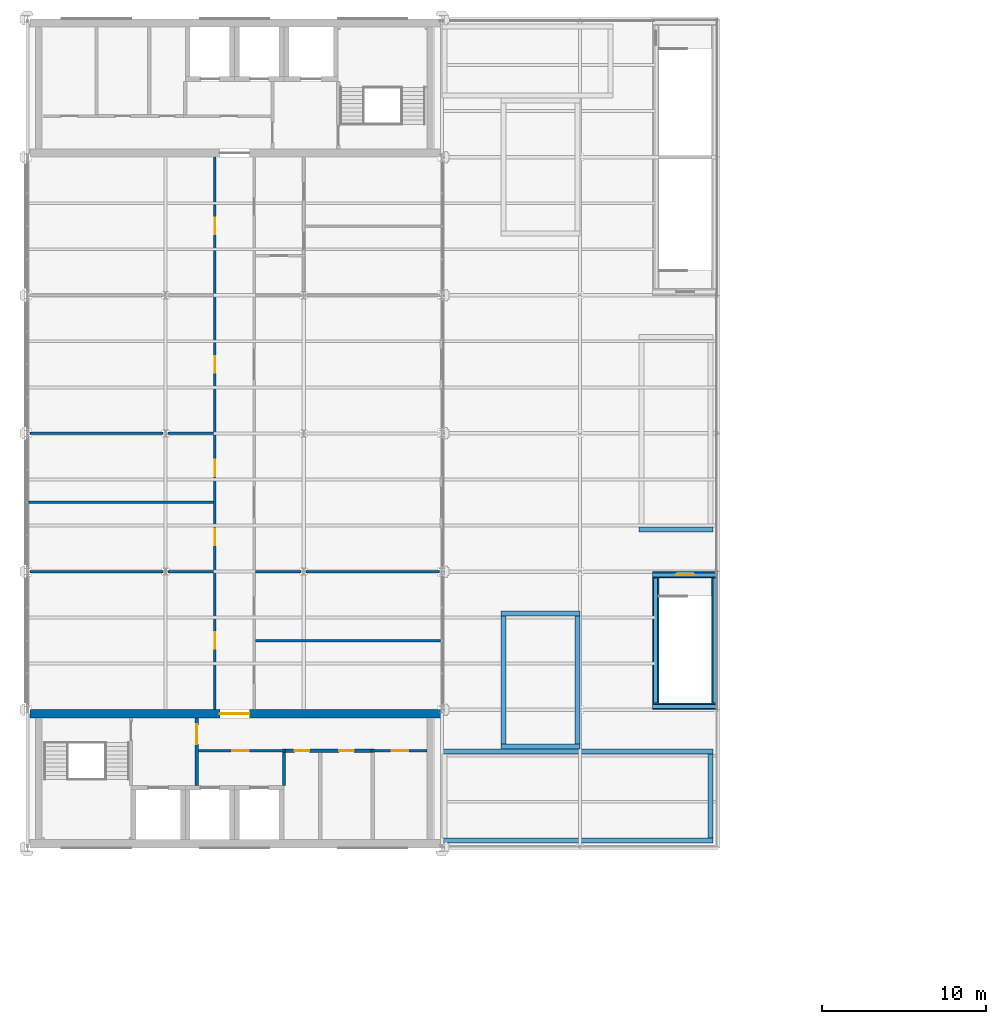
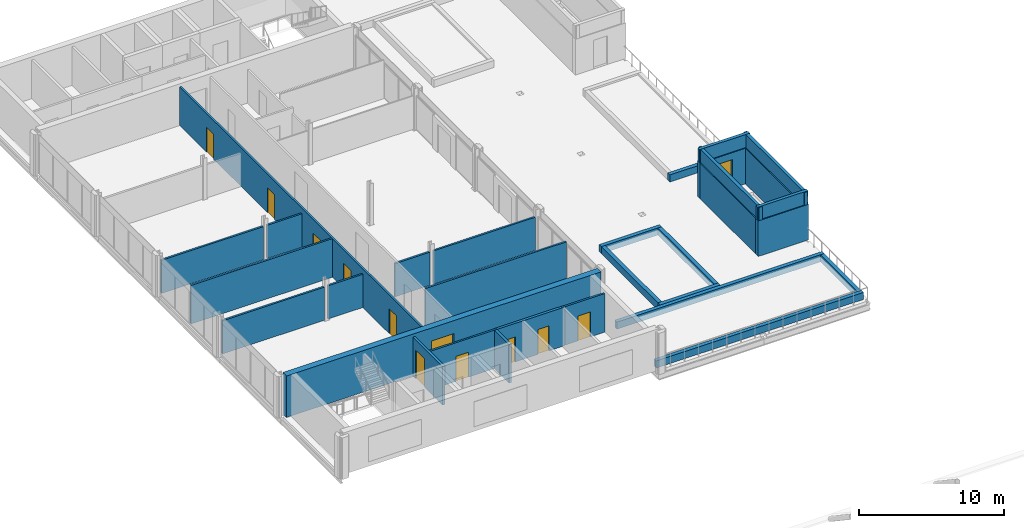
# One storey, part 24 of 32: 31 walls, 12 doors, 12 openings.
"""IFC4 building model written with IfcOpenShell, lengths in metres."""

from ifc_helpers import new_model, si_unit, direction, frame, frame_2d, origin, place, context, subcontext, project, spatial, rectangle, extrude, material, layer, layer_set, type_object, element, fill, save


model = new_model("IFC4")

# Units and contexts
model_context = context("Model", 3, precision=1e-05, world=origin(), true_north=direction((0.0, 1.0)))
body_context = subcontext(model_context, "Body", "Model", "MODEL_VIEW")
ifc_project = project(units=[si_unit("LENGTHUNIT", "METRE"), si_unit("AREAUNIT", "SQUARE_METRE"), si_unit("VOLUMEUNIT", "CUBIC_METRE"), si_unit("PLANEANGLEUNIT", "RADIAN"), si_unit("MASSUNIT", "GRAM", prefix="KILO")], contexts=[model_context])

# Site, building, storey
site_placement = place(None, origin())
site = spatial("IfcSite", under=ifc_project, at=site_placement, CompositionType="ELEMENT")
building_placement = place(site_placement, origin())
building = spatial("IfcBuilding", under=site, at=building_placement, Name="Catenary Quay Ferry Terminal", CompositionType="ELEMENT")
storey_placement = place(building_placement, frame((0.0, 0.0, 17.10009765625)))
storey = spatial("IfcBuildingStorey", under=building, at=storey_placement, Name="L03", CompositionType="ELEMENT", Elevation=17.10009765625)

# Wall, opening, door
ifc_material_1 = material(Name="Concrete C50/60", Category="concrete")
ifc_layer_1 = layer(ifc_material_1, 0.5)
ifc_layer_set_1 = layer_set([ifc_layer_1], Name="Core wall 500")
wall_type_1 = type_object("IfcWallType", Name="Core wall 500", PredefinedType="SHEAR", material=ifc_layer_set_1)
wall_1_placement = place(storey_placement, frame((25.35009765625, 167.75, 0.0), z_axis=(0.0, 0.0, 1.0), x_axis=(1.0, 0.0, 0.0)))
wall_1 = element("IfcWall", 1, at=wall_1_placement, inside=storey, type_object=wall_type_1, Name="Core wall S2", PredefinedType="SHEAR", context=body_context, shape_type="SweptSolid", body=[
    extrude(rectangle(XDim=25.04296875, YDim=0.5, at=frame_2d((12.521484375, 0.0))), origin(), (0.0, 0.0, 1.0), 3.5),
])
opening_1_placement = place(wall_1_placement, frame((11.550048828125, 0.0, 0.0)))
opening_1 = element("IfcOpeningElement", 2, at=opening_1_placement, cuts=wall_1, Name="Opening D202", PredefinedType="OPENING", context=body_context, shape_type="SweptSolid", body=[
    extrude(rectangle(XDim=1.800048828125, YDim=2.39990234375, at=frame_2d((0.89990234375, 1.199951171875))), frame((0.0, 0.260009765625, 0.0), z_axis=(0.0, -1.0, 0.0), x_axis=(1.0, 0.0, 0.0)), (0.0, 0.0, 1.0), 0.52001953125),
])
ifc_material_2 = material(Name="Steel and glass", Category="steel")
door_type_1 = type_object("IfcDoorType", Name="DI3", OperationType="DOUBLE_DOOR_SINGLE_SWING", PredefinedType="DOOR", material=ifc_material_2)
door_1_placement = place(opening_1_placement, frame((1.800048828125, 0.0, 0.0), z_axis=(0.0, 0.0, 1.0), x_axis=(-1.0, 0.0, 0.0)))
door_1 = element("IfcDoor", 3, at=door_1_placement, inside=storey, type_object=door_type_1, Name="Operations Corridor to Core Corridor S", OperationType="DOUBLE_DOOR_SINGLE_SWING", OverallHeight=2.39990234375, OverallWidth=1.800048828125, PredefinedType="DOOR", context=body_context, shape_type="SweptSolid", body=[
    extrude(rectangle(XDim=1.800048828125, YDim=2.39990234375, at=frame_2d((0.89990234375, 1.199951171875))), frame((0.0, 0.02490234375, 0.0), z_axis=(0.0, -1.0, 0.0), x_axis=(1.0, 0.0, 0.0)), (0.0, 0.0, 1.0), 0.050048828125),
])
fill(opening_1, door_1)

# Walls
ifc_material_3 = material(Name="Masonry and insulation", Category="masonry")
ifc_layer_2 = layer(ifc_material_3, 0.300048828125)
ifc_layer_set_2 = layer_set([ifc_layer_2], Name="EW15")
wall_type_2 = type_object("IfcWallType", Name="EW15", PredefinedType="SOLIDWALL", material=ifc_layer_set_2)
for number, where, z_axis, x_axis, name in (
    (4, (50.39990234375, 160.050048828125, 0.0), (0.0, 0.0, 1.0), (1.0, 0.0, 0.0), "Planter terrace wall WL136"),
    (5, (50.39990234375, 165.449951171875, 0.0), (0.0, 0.0, 1.0), (1.0, 0.0, 0.0), "Planter terrace wall WL137"),
):
    element("IfcWall", number, at=place(storey_placement, frame(where, z_axis=z_axis, x_axis=x_axis)), inside=storey, type_object=wall_type_2, Name=name, PredefinedType="SOLIDWALL", context=body_context, shape_type="SweptSolid", body=[
        extrude(rectangle(XDim=16.5, YDim=0.300048828125, at=frame_2d((8.25, 0.0))), origin(), (0.0, 0.0, 1.0), 0.599853515625),
    ])
wall_2_placement = place(storey_placement, frame((66.75, 160.199951171875, 0.0), z_axis=(0.0, 0.0, 1.0), x_axis=(0.0, 1.0, 0.0)))
element("IfcWall", 6, at=wall_2_placement, inside=storey, type_object=wall_type_2, Name="Planter terrace wall WL139", PredefinedType="SOLIDWALL", context=body_context, shape_type="SweptSolid", body=[
    extrude(rectangle(XDim=5.10009765625, YDim=0.300048828125, at=frame_2d((2.550048828125, 0.0))), origin(), (0.0, 0.0, 1.0), 0.599853515625),
])
for number, where, z_axis, x_axis, name in (
    (7, (54.0, 165.75, 0.0), (0.0, 0.0, 1.0), (1.0, 0.0, 0.0), "Planter terrace wall WL140"),
    (8, (54.0, 173.85009765625, 0.0), (0.0, 0.0, 1.0), (1.0, 0.0, 0.0), "Planter terrace wall WL141"),
):
    element("IfcWall", number, at=place(storey_placement, frame(where, z_axis=z_axis, x_axis=x_axis)), inside=storey, type_object=wall_type_2, Name=name, PredefinedType="SOLIDWALL", context=body_context, shape_type="SweptSolid", body=[
        extrude(rectangle(XDim=4.800048828125, YDim=0.300048828125, at=frame_2d((2.39990234375, 0.0))), origin(), (0.0, 0.0, 1.0), 0.599853515625),
    ])
for number, where, z_axis, x_axis, name in (
    (9, (54.14990234375, 165.89990234375, 0.0), (0.0, 0.0, 1.0), (0.0, 1.0, 0.0), "Planter terrace wall WL142"),
    (10, (58.64990234375, 165.89990234375, 0.0), (0.0, 0.0, 1.0), (0.0, 1.0, 0.0), "Planter terrace wall WL143"),
):
    element("IfcWall", number, at=place(storey_placement, frame(where, z_axis=z_axis, x_axis=x_axis)), inside=storey, type_object=wall_type_2, Name=name, PredefinedType="SOLIDWALL", context=body_context, shape_type="SweptSolid", body=[
        extrude(rectangle(XDim=7.800048828125, YDim=0.300048828125, at=frame_2d((3.89990234375, 0.0))), origin(), (0.0, 0.0, 1.0), 0.599853515625),
    ])
wall_3_placement = place(storey_placement, frame((62.39990234375, 178.949951171875, 0.0), z_axis=(0.0, 0.0, 1.0), x_axis=(1.0, 0.0, 0.0)))
element("IfcWall", 11, at=wall_3_placement, inside=storey, type_object=wall_type_2, Name="Planter terrace wall WL152", PredefinedType="SOLIDWALL", context=body_context, shape_type="SweptSolid", body=[
    extrude(rectangle(XDim=4.5, YDim=0.300048828125, at=frame_2d((2.25, 0.0))), origin(), (0.0, 0.0, 1.0), 0.599853515625),
])

# Wall, opening, door
ifc_material_4 = material(Name="Masonry and insulation", Category="masonry")
ifc_layer_3 = layer(ifc_material_4, 0.39990234375)
ifc_layer_set_3 = layer_set([ifc_layer_3], Name="EW2")
wall_type_3 = type_object("IfcWallType", Name="EW2", PredefinedType="SOLIDWALL", material=ifc_layer_set_3)
wall_4_placement = place(storey_placement, frame((63.199951171875, 176.199951171875, 0.0), z_axis=(0.0, 0.0, 1.0), x_axis=(1.0, 0.0, 0.0)))
wall_4 = element("IfcWall", 12, at=wall_4_placement, inside=storey, type_object=wall_type_3, Name="P38 wall WL193", PredefinedType="SOLIDWALL", context=body_context, shape_type="SweptSolid", body=[
    extrude(rectangle(XDim=4.0, YDim=0.39990234375, at=frame_2d((2.0, 0.0))), origin(), (0.0, 0.0, 1.0), 3.0),
])
opening_2_placement = place(wall_4_placement, frame((1.449951171875, 0.0, 0.011962890625)))
opening_2 = element("IfcOpeningElement", 13, at=opening_2_placement, cuts=wall_4, Name="Opening D31", PredefinedType="OPENING", context=body_context, shape_type="SweptSolid", body=[
    extrude(rectangle(XDim=1.10009765625, YDim=2.39990234375, at=frame_2d((0.550048828125, 1.199951171875))), frame((0.0, 0.2099609375, 0.0), z_axis=(0.0, -1.0, 0.0), x_axis=(1.0, 0.0, 0.0)), (0.0, 0.0, 1.0), 0.419921875),
])
ifc_material_5 = material(Name="Steel", Category="steel")
door_type_2 = type_object("IfcDoorType", Name="DXE1100", OperationType="SINGLE_SWING_LEFT", PredefinedType="DOOR", material=ifc_material_5)
door_2_placement = place(opening_2_placement, origin())
door_2 = element("IfcDoor", 14, at=door_2_placement, inside=storey, type_object=door_type_2, Name="HS3 door D31", OperationType="SINGLE_SWING_LEFT", OverallHeight=2.39990234375, OverallWidth=1.10009765625, PredefinedType="DOOR", context=body_context, shape_type="SweptSolid", body=[
    extrude(rectangle(XDim=1.10009765625, YDim=2.39990234375, at=frame_2d((0.550048828125, 1.199951171875))), frame((0.0, 0.02490234375, 0.0), z_axis=(0.0, -1.0, 0.0), x_axis=(1.0, 0.0, 0.0)), (0.0, 0.0, 1.0), 0.050048828125),
])
fill(opening_2, door_2)

# Walls
wall_5_placement = place(storey_placement, frame((63.199951171875, 168.199951171875, 0.0), z_axis=(0.0, 0.0, 1.0), x_axis=(1.0, 0.0, 0.0)))
element("IfcWall", 15, at=wall_5_placement, inside=storey, type_object=wall_type_3, Name="P39 wall WL194", PredefinedType="SOLIDWALL", context=body_context, shape_type="SweptSolid", body=[
    extrude(rectangle(XDim=4.0, YDim=0.39990234375, at=frame_2d((2.0, 0.0))), origin(), (0.0, 0.0, 1.0), 3.0),
])
for number, where, z_axis, x_axis, name in (
    (16, (67.0, 168.39990234375, 0.0), (0.0, 0.0, 1.0), (0.0, 1.0, 0.0), "P42 wall WL197"),
    (17, (63.39990234375, 168.39990234375, 0.0), (0.0, 0.0, 1.0), (0.0, 1.0, 0.0), "P43 wall WL198"),
):
    element("IfcWall", number, at=place(storey_placement, frame(where, z_axis=z_axis, x_axis=x_axis)), inside=storey, type_object=wall_type_3, Name=name, PredefinedType="SOLIDWALL", context=body_context, shape_type="SweptSolid", body=[
        extrude(rectangle(XDim=7.60009765625, YDim=0.39990234375, at=frame_2d((3.800048828125, 0.0))), origin(), (0.0, 0.0, 1.0), 3.0),
    ])
ifc_material_6 = material(Name="Masonry and insulation", Category="masonry")
ifc_layer_4 = layer(ifc_material_6, 0.25)
ifc_layer_set_4 = layer_set([ifc_layer_4], Name="EW5")
wall_type_4 = type_object("IfcWallType", Name="EW5", PredefinedType="PARAPET", material=ifc_layer_set_4)
for number, where, z_axis, x_axis, name in (
    (18, (63.199951171875, 168.199951171875, 3.0), (0.0, 0.0, 1.0), (1.0, 0.0, 0.0), "Parapet wall WL216"),
    (19, (63.199951171875, 176.199951171875, 3.0), (0.0, 0.0, 1.0), (1.0, 0.0, 0.0), "Parapet wall WL217"),
):
    element("IfcWall", number, at=place(storey_placement, frame(where, z_axis=z_axis, x_axis=x_axis)), inside=storey, type_object=wall_type_4, Name=name, PredefinedType="PARAPET", context=body_context, shape_type="SweptSolid", body=[
        extrude(rectangle(XDim=4.0, YDim=0.25, at=frame_2d((2.0, 0.0))), origin(), (0.0, 0.0, 1.0), 1.099853515625),
    ])
for number, where, z_axis, x_axis, name in (
    (20, (67.0, 168.0, 3.0), (0.0, 0.0, 1.0), (0.0, 1.0, 0.0), "Parapet wall WL220"),
    (21, (63.39990234375, 168.0, 3.0), (0.0, 0.0, 1.0), (0.0, 1.0, 0.0), "Parapet wall WL221"),
):
    element("IfcWall", number, at=place(storey_placement, frame(where, z_axis=z_axis, x_axis=x_axis)), inside=storey, type_object=wall_type_4, Name=name, PredefinedType="PARAPET", context=body_context, shape_type="SweptSolid", body=[
        extrude(rectangle(XDim=8.39990234375, YDim=0.25, at=frame_2d((4.199951171875, 0.0))), origin(), (0.0, 0.0, 1.0), 1.099853515625),
    ])

# Wall, opening, door
ifc_material_7 = material(Name="Plasterboard on steel studs", Category="steel")
ifc_layer_5 = layer(ifc_material_7, 0.14990234375)
ifc_layer_set_5 = layer_set([ifc_layer_5], Name="IP3")
wall_type_5 = type_object("IfcWallType", Name="IP3", PredefinedType="PARTITIONING", material=ifc_layer_set_5)
wall_6_placement = place(storey_placement, frame((35.60009765625, 165.5, 0.0), z_axis=(0.0, 0.0, 1.0), x_axis=(1.0, 0.0, 0.0)))
wall_6 = element("IfcWall", 22, at=wall_6_placement, inside=storey, type_object=wall_type_5, Name="Partition L03 1", PredefinedType="PARTITIONING", context=body_context, shape_type="SweptSolid", body=[
    extrude(rectangle(XDim=5.2998046875, YDim=0.14990234375, at=frame_2d((2.64990234375, 0.0))), origin(), (0.0, 0.0, 1.0), 3.25),
])
opening_3_placement = place(wall_6_placement, frame((2.050048828125, 0.0, 0.0)))
opening_3 = element("IfcOpeningElement", 23, at=opening_3_placement, cuts=wall_6, Name="Opening D190", PredefinedType="OPENING", context=body_context, shape_type="SweptSolid", body=[
    extrude(rectangle(XDim=1.0, YDim=2.10009765625, at=frame_2d((0.5, 1.050048828125))), frame((0.0, 0.0849609375, 0.0), z_axis=(0.0, -1.0, 0.0), x_axis=(1.0, 0.0, 0.0)), (0.0, 0.0, 1.0), 0.169921875),
])
ifc_material_8 = material(Name="Steel", Category="steel")
door_type_3 = type_object("IfcDoorType", Name="DI12", OperationType="SINGLE_SWING_LEFT", PredefinedType="DOOR", material=ifc_material_8)
door_3_placement = place(opening_3_placement, origin())
door_3 = element("IfcDoor", 24, at=door_3_placement, inside=storey, type_object=door_type_3, Name="Passenger Lift Lobby S to Core Corridor S", OperationType="SINGLE_SWING_LEFT", OverallHeight=2.10009765625, OverallWidth=1.0, PredefinedType="DOOR", context=body_context, shape_type="SweptSolid", body=[
    extrude(rectangle(XDim=1.0, YDim=2.10009765625, at=frame_2d((0.5, 1.050048828125))), frame((0.0, 0.02490234375, 0.0), z_axis=(0.0, -1.0, 0.0), x_axis=(1.0, 0.0, 0.0)), (0.0, 0.0, 1.0), 0.050048828125),
])
fill(opening_3, door_3)

wall_7_placement = place(storey_placement, frame((46.10009765625, 165.5, 0.0), z_axis=(0.0, 0.0, 1.0), x_axis=(1.0, 0.0, 0.0)))
wall_7 = element("IfcWall", 25, at=wall_7_placement, inside=storey, type_object=wall_type_5, Name="Partition L03 3", PredefinedType="PARTITIONING", context=body_context, shape_type="SweptSolid", body=[
    extrude(rectangle(XDim=3.39990234375, YDim=0.14990234375, at=frame_2d((1.699951171875, 0.0))), origin(), (0.0, 0.0, 1.0), 3.25),
])
opening_4_placement = place(wall_7_placement, frame((1.25, 0.0, 0.0)))
opening_4 = element("IfcOpeningElement", 26, at=opening_4_placement, cuts=wall_7, Name="Opening D198", PredefinedType="OPENING", context=body_context, shape_type="SweptSolid", body=[
    extrude(rectangle(XDim=1.0, YDim=2.10009765625, at=frame_2d((0.5, 1.050048828125))), frame((0.0, 0.0849609375, 0.0), z_axis=(0.0, -1.0, 0.0), x_axis=(1.0, 0.0, 0.0)), (0.0, 0.0, 1.0), 0.169921875),
])
ifc_material_9 = material(Name="Timber", Category="wood")
door_type_4 = type_object("IfcDoorType", Name="DI8", OperationType="SINGLE_SWING_LEFT", PredefinedType="DOOR", material=ifc_material_9)
door_4_placement = place(opening_4_placement, frame((1.0, 0.0, 0.0), z_axis=(0.0, 0.0, 1.0), x_axis=(-1.0, 0.0, 0.0)))
door_4 = element("IfcDoor", 27, at=door_4_placement, inside=storey, type_object=door_type_4, Name="Accessible WC S to Core Corridor S", OperationType="SINGLE_SWING_RIGHT", OverallHeight=2.10009765625, OverallWidth=1.0, PredefinedType="DOOR", context=body_context, shape_type="SweptSolid", body=[
    extrude(rectangle(XDim=1.0, YDim=2.10009765625, at=frame_2d((0.5, 1.050048828125))), frame((0.0, 0.02490234375, 0.0), z_axis=(0.0, -1.0, 0.0), x_axis=(1.0, 0.0, 0.0)), (0.0, 0.0, 1.0), 0.050048828125),
])
fill(opening_4, door_4)

# Wall, openings, doors
wall_8_placement = place(storey_placement, frame((36.60009765625, 168.0, 0.0), z_axis=(0.0, 0.0, 1.0), x_axis=(0.0, 1.0, 0.0)))
wall_8 = element("IfcWall", 28, at=wall_8_placement, inside=storey, type_object=wall_type_5, Name="Partition L03 27", PredefinedType="PARTITIONING", context=body_context, shape_type="SweptSolid", body=[
    extrude(rectangle(XDim=33.60009765625, YDim=0.14990234375, at=frame_2d((16.800048828125, 0.0))), origin(), (0.0, 0.0, 1.0), 3.25),
])
opening_5_placement = place(wall_8_placement, frame((3.699951171875, 0.0, 0.0)))
opening_5 = element("IfcOpeningElement", 29, at=opening_5_placement, cuts=wall_8, Name="Opening D204", PredefinedType="OPENING", context=body_context, shape_type="SweptSolid", body=[
    extrude(rectangle(XDim=1.0, YDim=2.10009765625, at=frame_2d((0.5, 1.050048828125))), frame((0.0, 0.0849609375, 0.0), z_axis=(0.0, -1.0, 0.0), x_axis=(1.0, 0.0, 0.0)), (0.0, 0.0, 1.0), 0.169921875),
])
opening_6_placement = place(wall_8_placement, frame((10.0, 0.0, 0.0)))
opening_6 = element("IfcOpeningElement", 30, at=opening_6_placement, cuts=wall_8, Name="Opening D205", PredefinedType="OPENING", context=body_context, shape_type="SweptSolid", body=[
    extrude(rectangle(XDim=1.0, YDim=2.10009765625, at=frame_2d((0.5, 1.050048828125))), frame((0.0, 0.0849609375, 0.0), z_axis=(0.0, -1.0, 0.0), x_axis=(1.0, 0.0, 0.0)), (0.0, 0.0, 1.0), 0.169921875),
])
opening_7_placement = place(wall_8_placement, frame((14.199951171875, 0.0, 0.0)))
opening_7 = element("IfcOpeningElement", 31, at=opening_7_placement, cuts=wall_8, Name="Opening D206", PredefinedType="OPENING", context=body_context, shape_type="SweptSolid", body=[
    extrude(rectangle(XDim=1.0, YDim=2.10009765625, at=frame_2d((0.5, 1.050048828125))), frame((0.0, 0.0849609375, 0.0), z_axis=(0.0, -1.0, 0.0), x_axis=(1.0, 0.0, 0.0)), (0.0, 0.0, 1.0), 0.169921875),
])
opening_8_placement = place(wall_8_placement, frame((20.5, 0.0, 0.0)))
opening_8 = element("IfcOpeningElement", 32, at=opening_8_placement, cuts=wall_8, Name="Opening D207", PredefinedType="OPENING", context=body_context, shape_type="SweptSolid", body=[
    extrude(rectangle(XDim=1.0, YDim=2.10009765625, at=frame_2d((0.5, 1.050048828125))), frame((0.0, 0.0849609375, 0.0), z_axis=(0.0, -1.0, 0.0), x_axis=(1.0, 0.0, 0.0)), (0.0, 0.0, 1.0), 0.169921875),
])
opening_9_placement = place(wall_8_placement, frame((28.89990234375, 0.0, 0.0)))
opening_9 = element("IfcOpeningElement", 33, at=opening_9_placement, cuts=wall_8, Name="Opening D208", PredefinedType="OPENING", context=body_context, shape_type="SweptSolid", body=[
    extrude(rectangle(XDim=1.0, YDim=2.10009765625, at=frame_2d((0.5, 1.050048828125))), frame((0.0, 0.0849609375, 0.0), z_axis=(0.0, -1.0, 0.0), x_axis=(1.0, 0.0, 0.0)), (0.0, 0.0, 1.0), 0.169921875),
])
ifc_material_10 = material(Name="Timber", Category="wood")
door_type_5 = type_object("IfcDoorType", Name="DI7", OperationType="SINGLE_SWING_LEFT", PredefinedType="DOOR", material=ifc_material_10)
door_5_placement = place(opening_5_placement, origin())
door_5 = element("IfcDoor", 34, at=door_5_placement, inside=storey, type_object=door_type_5, Name="Terminal Operator Open Office to Operations Corridor", OperationType="SINGLE_SWING_LEFT", OverallHeight=2.10009765625, OverallWidth=1.0, PredefinedType="DOOR", context=body_context, shape_type="SweptSolid", body=[
    extrude(rectangle(XDim=1.0, YDim=2.10009765625, at=frame_2d((0.5, 1.050048828125))), frame((0.0, 0.02490234375, 0.0), z_axis=(0.0, -1.0, 0.0), x_axis=(1.0, 0.0, 0.0)), (0.0, 0.0, 1.0), 0.050048828125),
])
fill(opening_5, door_5)
door_6_placement = place(opening_6_placement, origin())
door_6 = element("IfcDoor", 35, at=door_6_placement, inside=storey, type_object=door_type_5, Name="Terminal Operator Director Office to Operations Corridor", OperationType="SINGLE_SWING_LEFT", OverallHeight=2.10009765625, OverallWidth=1.0, PredefinedType="DOOR", context=body_context, shape_type="SweptSolid", body=[
    extrude(rectangle(XDim=1.0, YDim=2.10009765625, at=frame_2d((0.5, 1.050048828125))), frame((0.0, 0.02490234375, 0.0), z_axis=(0.0, -1.0, 0.0), x_axis=(1.0, 0.0, 0.0)), (0.0, 0.0, 1.0), 0.050048828125),
])
fill(opening_6, door_6)
door_7_placement = place(opening_7_placement, origin())
door_7 = element("IfcDoor", 36, at=door_7_placement, inside=storey, type_object=door_type_5, Name="Terminal Operator Finance Office to Operations Corridor", OperationType="SINGLE_SWING_LEFT", OverallHeight=2.10009765625, OverallWidth=1.0, PredefinedType="DOOR", context=body_context, shape_type="SweptSolid", body=[
    extrude(rectangle(XDim=1.0, YDim=2.10009765625, at=frame_2d((0.5, 1.050048828125))), frame((0.0, 0.02490234375, 0.0), z_axis=(0.0, -1.0, 0.0), x_axis=(1.0, 0.0, 0.0)), (0.0, 0.0, 1.0), 0.050048828125),
])
fill(opening_7, door_7)
door_8_placement = place(opening_8_placement, origin())
door_8 = element("IfcDoor", 37, at=door_8_placement, inside=storey, type_object=door_type_5, Name="Terminal Operator Planning Office to Operations Corridor", OperationType="SINGLE_SWING_LEFT", OverallHeight=2.10009765625, OverallWidth=1.0, PredefinedType="DOOR", context=body_context, shape_type="SweptSolid", body=[
    extrude(rectangle(XDim=1.0, YDim=2.10009765625, at=frame_2d((0.5, 1.050048828125))), frame((0.0, 0.02490234375, 0.0), z_axis=(0.0, -1.0, 0.0), x_axis=(1.0, 0.0, 0.0)), (0.0, 0.0, 1.0), 0.050048828125),
])
fill(opening_8, door_8)
door_9_placement = place(opening_9_placement, origin())
door_9 = element("IfcDoor", 38, at=door_9_placement, inside=storey, type_object=door_type_5, Name="Operations Training Room to Operations Corridor", OperationType="SINGLE_SWING_LEFT", OverallHeight=2.10009765625, OverallWidth=1.0, PredefinedType="DOOR", context=body_context, shape_type="SweptSolid", body=[
    extrude(rectangle(XDim=1.0, YDim=2.10009765625, at=frame_2d((0.5, 1.050048828125))), frame((0.0, 0.02490234375, 0.0), z_axis=(0.0, -1.0, 0.0), x_axis=(1.0, 0.0, 0.0)), (0.0, 0.0, 1.0), 0.050048828125),
])
fill(opening_9, door_9)

# Wall, opening, door
ifc_material_11 = material(Name="Blockwork and plaster", Category="masonry")
ifc_layer_6 = layer(ifc_material_11, 0.199951171875)
ifc_layer_set_6 = layer_set([ifc_layer_6], Name="IP4")
wall_type_6 = type_object("IfcWallType", Name="IP4", PredefinedType="PARTITIONING", material=ifc_layer_set_6)
wall_9_placement = place(storey_placement, frame((35.5, 163.39990234375, 0.0), z_axis=(0.0, 0.0, 1.0), x_axis=(0.0, 1.0, 0.0)))
wall_9 = element("IfcWall", 39, at=wall_9_placement, inside=storey, type_object=wall_type_6, Name="Partition L03 26", PredefinedType="PARTITIONING", context=body_context, shape_type="SweptSolid", body=[
    extrude(rectangle(XDim=4.10009765625, YDim=0.199951171875, at=frame_2d((2.050048828125, 0.0))), origin(), (0.0, 0.0, 1.0), 3.25),
])
opening_10_placement = place(wall_9_placement, frame((2.5, 0.0, 0.0)))
opening_10 = element("IfcOpeningElement", 40, at=opening_10_placement, cuts=wall_9, Name="Opening D192", PredefinedType="OPENING", context=body_context, shape_type="SweptSolid", body=[
    extrude(rectangle(XDim=1.199951171875, YDim=2.39990234375, at=frame_2d((0.60009765625, 1.199951171875))), frame((0.0, 0.10986328125, 0.0), z_axis=(0.0, -1.0, 0.0), x_axis=(1.0, 0.0, 0.0)), (0.0, 0.0, 1.0), 0.219970703125),
])
ifc_material_12 = material(Name="Steel and glass", Category="steel")
door_type_6 = type_object("IfcDoorType", Name="DI10", OperationType="SINGLE_SWING_LEFT", PredefinedType="DOOR", material=ifc_material_12)
door_10_placement = place(opening_10_placement, origin())
door_10 = element("IfcDoor", 41, at=door_10_placement, inside=storey, type_object=door_type_6, Name="Fire-fighting Lobby S to Core Corridor S", OperationType="SINGLE_SWING_LEFT", OverallHeight=2.39990234375, OverallWidth=1.199951171875, PredefinedType="DOOR", context=body_context, shape_type="SweptSolid", body=[
    extrude(rectangle(XDim=1.199951171875, YDim=2.39990234375, at=frame_2d((0.60009765625, 1.199951171875))), frame((0.0, 0.02490234375, 0.0), z_axis=(0.0, -1.0, 0.0), x_axis=(1.0, 0.0, 0.0)), (0.0, 0.0, 1.0), 0.050048828125),
])
fill(opening_10, door_10)

# Wall, openings, doors
ifc_material_13 = material(Name="Blockwork and plaster", Category="masonry")
ifc_layer_7 = layer(ifc_material_13, 0.199951171875)
ifc_layer_set_7 = layer_set([ifc_layer_7], Name="IP6")
wall_type_7 = type_object("IfcWallType", Name="IP6", PredefinedType="PARTITIONING", material=ifc_layer_set_7)
wall_10_placement = place(storey_placement, frame((40.699951171875, 165.5, 0.0), z_axis=(0.0, 0.0, 1.0), x_axis=(1.0, 0.0, 0.0)))
wall_10 = element("IfcWall", 42, at=wall_10_placement, inside=storey, type_object=wall_type_7, Name="Partition L03 2", PredefinedType="PARTITIONING", context=body_context, shape_type="SweptSolid", body=[
    extrude(rectangle(XDim=5.60009765625, YDim=0.199951171875, at=frame_2d((2.800048828125, 0.0))), origin(), (0.0, 0.0, 1.0), 3.25),
])
opening_11_placement = place(wall_10_placement, frame((0.75, 0.0, 0.0)))
opening_11 = element("IfcOpeningElement", 43, at=opening_11_placement, cuts=wall_10, Name="Opening D194", PredefinedType="OPENING", context=body_context, shape_type="SweptSolid", body=[
    extrude(rectangle(XDim=0.89990234375, YDim=2.10009765625, at=frame_2d((0.449951171875, 1.050048828125))), frame((0.0, 0.10986328125, 0.0), z_axis=(0.0, -1.0, 0.0), x_axis=(1.0, 0.0, 0.0)), (0.0, 0.0, 1.0), 0.219970703125),
])
opening_12_placement = place(wall_10_placement, frame((3.449951171875, 0.0, 0.0)))
opening_12 = element("IfcOpeningElement", 44, at=opening_12_placement, cuts=wall_10, Name="Opening D196", PredefinedType="OPENING", context=body_context, shape_type="SweptSolid", body=[
    extrude(rectangle(XDim=0.89990234375, YDim=2.10009765625, at=frame_2d((0.449951171875, 1.050048828125))), frame((0.0, 0.10986328125, 0.0), z_axis=(0.0, -1.0, 0.0), x_axis=(1.0, 0.0, 0.0)), (0.0, 0.0, 1.0), 0.219970703125),
])
ifc_material_14 = material(Name="Steel", Category="steel")
door_type_7 = type_object("IfcDoorType", Name="DI9", OperationType="SINGLE_SWING_LEFT", PredefinedType="DOOR", material=ifc_material_14)
door_11_placement = place(opening_11_placement, frame((0.89990234375, 0.0, 0.0), z_axis=(0.0, 0.0, 1.0), x_axis=(-1.0, 0.0, 0.0)))
door_11 = element("IfcDoor", 45, at=door_11_placement, inside=storey, type_object=door_type_7, Name="Riser Shaft S to Core Corridor S", OperationType="SINGLE_SWING_RIGHT", OverallHeight=2.10009765625, OverallWidth=0.89990234375, PredefinedType="DOOR", context=body_context, shape_type="SweptSolid", body=[
    extrude(rectangle(XDim=0.89990234375, YDim=2.10009765625, at=frame_2d((0.449951171875, 1.050048828125))), frame((0.0, 0.02490234375, 0.0), z_axis=(0.0, -1.0, 0.0), x_axis=(1.0, 0.0, 0.0)), (0.0, 0.0, 1.0), 0.050048828125),
])
fill(opening_11, door_11)
door_12_placement = place(opening_12_placement, frame((0.89990234375, 0.0, 0.0), z_axis=(0.0, 0.0, 1.0), x_axis=(-1.0, 0.0, 0.0)))
door_12 = element("IfcDoor", 46, at=door_12_placement, inside=storey, type_object=door_type_7, Name="Cleaners Store S to Core Corridor S", OperationType="SINGLE_SWING_RIGHT", OverallHeight=2.10009765625, OverallWidth=0.89990234375, PredefinedType="DOOR", context=body_context, shape_type="SweptSolid", body=[
    extrude(rectangle(XDim=0.89990234375, YDim=2.10009765625, at=frame_2d((0.449951171875, 1.050048828125))), frame((0.0, 0.02490234375, 0.0), z_axis=(0.0, -1.0, 0.0), x_axis=(1.0, 0.0, 0.0)), (0.0, 0.0, 1.0), 0.050048828125),
])
fill(opening_12, door_12)

# Walls
wall_11_placement = place(storey_placement, frame((40.800048828125, 163.39990234375, 0.0), z_axis=(0.0, 0.0, 1.0), x_axis=(0.0, 1.0, 0.0)))
element("IfcWall", 47, at=wall_11_placement, inside=storey, type_object=wall_type_7, Name="Partition L03 30", PredefinedType="PARTITIONING", context=body_context, shape_type="SweptSolid", body=[
    extrude(rectangle(XDim=2.0, YDim=0.199951171875, at=frame_2d((1.0, 0.0))), origin(), (0.0, 0.0, 1.0), 3.25),
])
ifc_material_15 = material(Name="Plasterboard on steel studs", Category="steel")
ifc_layer_8 = layer(ifc_material_15, 0.14990234375)
ifc_layer_set_8 = layer_set([ifc_layer_8], Name="IP7")
wall_type_8 = type_object("IfcWallType", Name="IP7", PredefinedType="PARTITIONING", material=ifc_layer_set_8)
wall_12_placement = place(storey_placement, frame((39.074951171875, 172.199951171875, 0.0), z_axis=(0.0, 0.0, 1.0), x_axis=(1.0, 0.0, 0.0)))
element("IfcWall", 48, at=wall_12_placement, inside=storey, type_object=wall_type_8, Name="Partition L03 4", PredefinedType="PARTITIONING", context=body_context, shape_type="SweptSolid", body=[
    extrude(rectangle(XDim=11.25, YDim=0.14990234375, at=frame_2d((5.625, 0.0))), origin(), (0.0, 0.0, 1.0), 3.25),
])
wall_13_placement = place(storey_placement, frame((25.35009765625, 176.39990234375, 0.0), z_axis=(0.0, 0.0, 1.0), x_axis=(1.0, 0.0, 0.0)))
element("IfcWall", 49, at=wall_13_placement, inside=storey, type_object=wall_type_8, Name="Partition L03 5", PredefinedType="PARTITIONING", context=body_context, shape_type="SweptSolid", body=[
    extrude(rectangle(XDim=8.099853515625, YDim=0.14990234375, at=frame_2d((4.0498046875, 0.0))), origin(), (0.0, 0.0, 1.0), 2.796142578125),
])
wall_14_placement = place(storey_placement, frame((33.75, 176.39990234375, 0.0), z_axis=(0.0, 0.0, 1.0), x_axis=(1.0, 0.0, 0.0)))
element("IfcWall", 50, at=wall_14_placement, inside=storey, type_object=wall_type_8, Name="Partition L03 6", PredefinedType="PARTITIONING", context=body_context, shape_type="SweptSolid", body=[
    extrude(rectangle(XDim=2.77490234375, YDim=0.14990234375, at=frame_2d((1.387451171875, 0.0))), origin(), (0.0, 0.0, 1.0), 2.796142578125),
])
wall_15_placement = place(storey_placement, frame((39.074951171875, 176.39990234375, 0.0), z_axis=(0.0, 0.0, 1.0), x_axis=(1.0, 0.0, 0.0)))
element("IfcWall", 51, at=wall_15_placement, inside=storey, type_object=wall_type_8, Name="Partition L03 7", PredefinedType="PARTITIONING", context=body_context, shape_type="SweptSolid", body=[
    extrude(rectangle(XDim=2.775146484375, YDim=0.14990234375, at=frame_2d((1.3876953125, 0.0))), origin(), (0.0, 0.0, 1.0), 2.796142578125),
])
wall_16_placement = place(storey_placement, frame((42.14990234375, 176.39990234375, 0.0), z_axis=(0.0, 0.0, 1.0), x_axis=(1.0, 0.0, 0.0)))
element("IfcWall", 52, at=wall_16_placement, inside=storey, type_object=wall_type_8, Name="Partition L03 8", PredefinedType="PARTITIONING", context=body_context, shape_type="SweptSolid", body=[
    extrude(rectangle(XDim=8.10009765625, YDim=0.14990234375, at=frame_2d((4.050048828125, 0.0))), origin(), (0.0, 0.0, 1.0), 2.796142578125),
])
wall_17_placement = place(storey_placement, frame((25.27490234375, 180.60009765625, 0.0), z_axis=(0.0, 0.0, 1.0), x_axis=(1.0, 0.0, 0.0)))
element("IfcWall", 53, at=wall_17_placement, inside=storey, type_object=wall_type_8, Name="Partition L03 9", PredefinedType="PARTITIONING", context=body_context, shape_type="SweptSolid", body=[
    extrude(rectangle(XDim=11.25, YDim=0.14990234375, at=frame_2d((5.625, 0.0))), origin(), (0.0, 0.0, 1.0), 3.25),
])
wall_18_placement = place(storey_placement, frame((25.35009765625, 184.800048828125, 0.0), z_axis=(0.0, 0.0, 1.0), x_axis=(1.0, 0.0, 0.0)))
element("IfcWall", 54, at=wall_18_placement, inside=storey, type_object=wall_type_8, Name="Partition L03 10", PredefinedType="PARTITIONING", context=body_context, shape_type="SweptSolid", body=[
    extrude(rectangle(XDim=8.099853515625, YDim=0.14990234375, at=frame_2d((4.0498046875, 0.0))), origin(), (0.0, 0.0, 1.0), 2.796142578125),
])
wall_19_placement = place(storey_placement, frame((33.75, 184.800048828125, 0.0), z_axis=(0.0, 0.0, 1.0), x_axis=(1.0, 0.0, 0.0)))
element("IfcWall", 55, at=wall_19_placement, inside=storey, type_object=wall_type_8, Name="Partition L03 11", PredefinedType="PARTITIONING", context=body_context, shape_type="SweptSolid", body=[
    extrude(rectangle(XDim=2.77490234375, YDim=0.14990234375, at=frame_2d((1.387451171875, 0.0))), origin(), (0.0, 0.0, 1.0), 2.796142578125),
])

save(model, "model.ifc")
